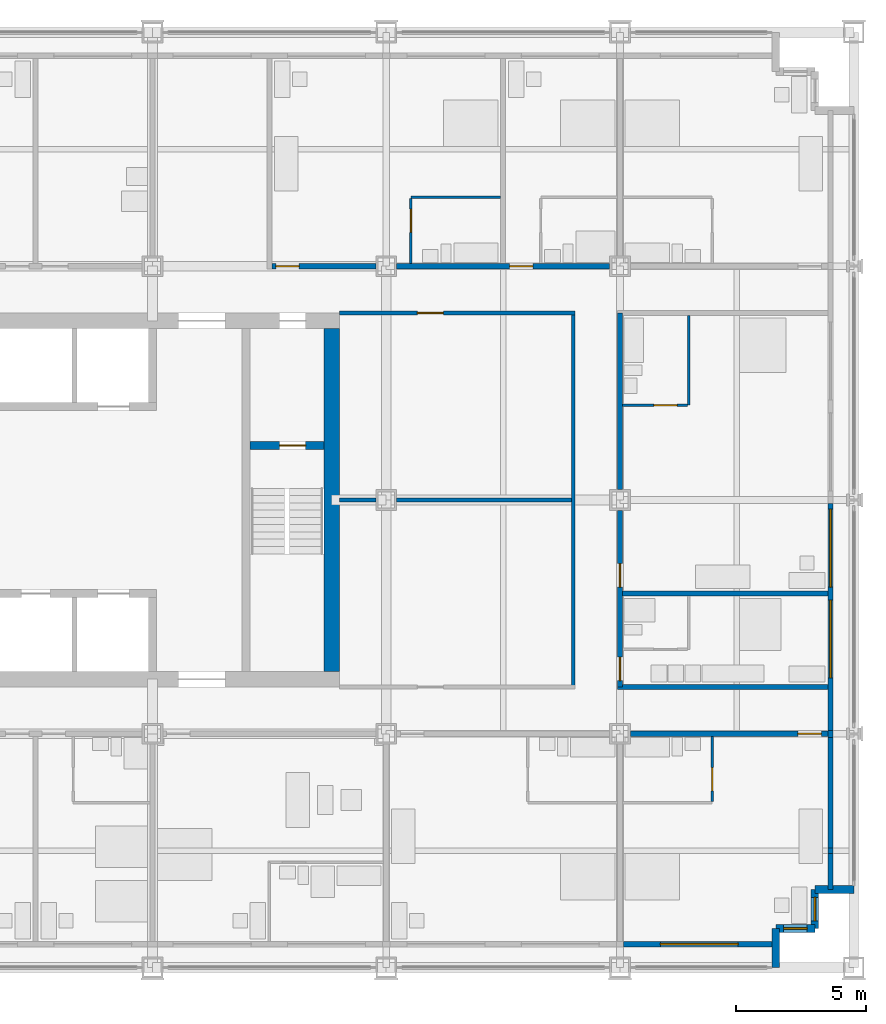
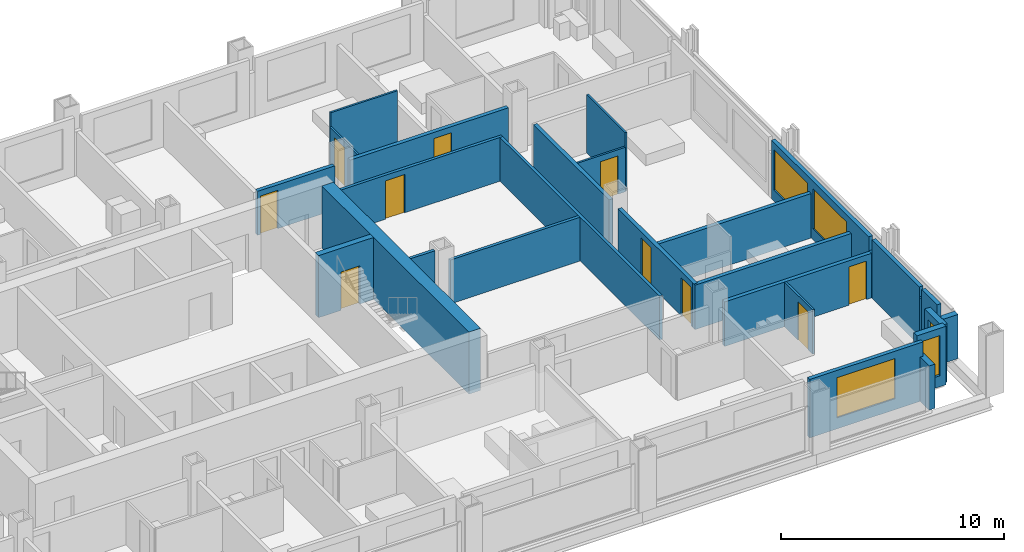
# One storey, part 13 of 18: 28 walls, 10 doors, 5 windows, 15 openings.
"""IFC4 building model written with IfcOpenShell, lengths in metres."""

from ifc_helpers import new_model, si_unit, direction, frame, frame_2d, origin, place, context, subcontext, project, spatial, rectangle, extrude, material, layer, layer_set, type_object, element, fill, save


model = new_model("IFC4")

# Units and contexts
model_context = context("Model", 3, precision=1e-05, world=origin(), true_north=direction((0.0, 1.0)))
body_context = subcontext(model_context, "Body", "Model", "MODEL_VIEW")
ifc_project = project(units=[si_unit("LENGTHUNIT", "METRE"), si_unit("AREAUNIT", "SQUARE_METRE"), si_unit("VOLUMEUNIT", "CUBIC_METRE"), si_unit("PLANEANGLEUNIT", "RADIAN"), si_unit("MASSUNIT", "GRAM", prefix="KILO")], contexts=[model_context])

# Site, building, storey
site_placement = place(None, origin())
site = spatial("IfcSite", under=ifc_project, at=site_placement, CompositionType="ELEMENT")
building_placement = place(site_placement, origin())
building = spatial("IfcBuilding", under=site, at=building_placement, Name="Loomwork Tower", CompositionType="ELEMENT")
storey_placement = place(building_placement, frame((0.0, 0.0, 65.39990234375)))
storey = spatial("IfcBuildingStorey", under=building, at=storey_placement, Name="L16", CompositionType="ELEMENT", Elevation=65.39990234375)

# Wall, opening, door
ifc_material_1 = material(Name="Concrete 14000 psi (97 MPa)", Category="concrete")
ifc_layer_1 = layer(ifc_material_1, 0.300048828125)
ifc_layer_set_1 = layer_set([ifc_layer_1], Name="Core shear wall 300")
wall_type_1 = type_object("IfcWallType", Name="Core shear wall 300", PredefinedType="SHEAR", material=ifc_layer_set_1)
wall_1_placement = place(storey_placement, frame((30.75, 20.10009765625, 0.0), z_axis=(0.0, 0.0, 1.0), x_axis=(1.0, 0.0, 0.0)))
wall_1 = element("IfcWall", 1, at=wall_1_placement, inside=storey, type_object=wall_type_1, Name="Stair B north wall L16", PredefinedType="SHEAR", context=body_context, shape_type="SweptSolid", body=[
    extrude(rectangle(XDim=2.85009765625, YDim=0.300048828125, at=frame_2d((1.425048828125, 0.0))), origin(), (0.0, 0.0, 1.0), 3.400146484375),
])
opening_1_placement = place(wall_1_placement, frame((1.14990234375, 0.0, 0.0)))
opening_1 = element("IfcOpeningElement", 2, at=opening_1_placement, cuts=wall_1, Name="Opening D4", PredefinedType="OPENING", context=body_context, shape_type="SweptSolid", body=[
    extrude(rectangle(XDim=1.0, YDim=2.10009765625, at=frame_2d((0.5, 1.050048828125))), frame((0.0, 0.159912109375, 0.0), z_axis=(0.0, -1.0, 0.0), x_axis=(1.0, 0.0, 0.0)), (0.0, 0.0, 1.0), 0.320068359375),
])
ifc_material_2 = material(Name="Hollow metal door and frame")
door_type_1 = type_object("IfcDoorType", Name="Stair door 1000", OperationType="SINGLE_SWING_RIGHT", PredefinedType="DOOR", material=ifc_material_2)
door_1_placement = place(opening_1_placement, frame((1.0, 0.0, 0.0), z_axis=(0.0, 0.0, 1.0), x_axis=(-1.0, 0.0, 0.0)))
door_1 = element("IfcDoor", 3, at=door_1_placement, inside=storey, type_object=door_type_1, Name="Stair B door", OperationType="SINGLE_SWING_LEFT", OverallHeight=2.10009765625, OverallWidth=1.0, PredefinedType="DOOR", context=body_context, shape_type="SweptSolid", body=[
    extrude(rectangle(XDim=1.0, YDim=2.10009765625, at=frame_2d((0.5, 1.050048828125))), frame((0.0, 0.02490234375, 0.0), z_axis=(0.0, -1.0, 0.0), x_axis=(1.0, 0.0, 0.0)), (0.0, 0.0, 1.0), 0.050048828125),
])
fill(opening_1, door_1)

# Wall
ifc_material_3 = material(Name="Concrete 14000 psi (97 MPa)", Category="concrete")
ifc_layer_2 = layer(ifc_material_3, 0.60009765625)
ifc_layer_set_2 = layer_set([ifc_layer_2], Name="Core shear wall 600")
wall_type_2 = type_object("IfcWallType", Name="Core shear wall 600", PredefinedType="SHEAR", material=ifc_layer_set_2)
wall_2_placement = place(storey_placement, frame((33.89990234375, 11.39990234375, 0.0), z_axis=(0.0, 0.0, 1.0), x_axis=(0.0, 1.0, 0.0)))
element("IfcWall", 4, at=wall_2_placement, inside=storey, type_object=wall_type_2, Name="Core wall east L16", PredefinedType="SHEAR", context=body_context, shape_type="SweptSolid", body=[
    extrude(rectangle(XDim=13.2001953125, YDim=0.60009765625, at=frame_2d((6.60009765625, 0.0))), origin(), (0.0, 0.0, 1.0), 3.400146484375),
])

# Wall, opening, door
ifc_material_4 = material(Name="Gypsum board on steel studs, one-hour", Category="steel")
ifc_layer_3 = layer(ifc_material_4, 0.199951171875)
ifc_layer_set_3 = layer_set([ifc_layer_3], Name="Corridor wall 200")
wall_type_3 = type_object("IfcWallType", Name="Corridor wall 200", PredefinedType="PARTITIONING", material=ifc_layer_set_3)
wall_3_placement = place(storey_placement, frame((45.39990234375, 9.0, 0.0), z_axis=(0.0, 0.0, 1.0), x_axis=(1.0, 0.0, 0.0)))
wall_3 = element("IfcWall", 5, at=wall_3_placement, inside=storey, type_object=wall_type_3, Name="South corridor wall 6", PredefinedType="PARTITIONING", context=body_context, shape_type="SweptSolid", body=[
    extrude(rectangle(XDim=7.60009765625, YDim=0.199951171875, at=frame_2d((3.800048828125, 0.0))), origin(), (0.0, 0.0, 1.0), 2.43798828125),
])
opening_2_placement = place(wall_3_placement, frame((6.449951171875, 0.0, 0.0)))
opening_2 = element("IfcOpeningElement", 6, at=opening_2_placement, cuts=wall_3, Name="Opening D1", PredefinedType="OPENING", context=body_context, shape_type="SweptSolid", body=[
    extrude(rectangle(XDim=0.89990234375, YDim=2.10009765625, at=frame_2d((0.449951171875, 1.050048828125))), frame((0.0, 0.10986328125, 0.0), z_axis=(0.0, -1.0, 0.0), x_axis=(1.0, 0.0, 0.0)), (0.0, 0.0, 1.0), 0.219970703125),
])
ifc_material_5 = material(Name="Hollow metal door and frame")
door_type_2 = type_object("IfcDoorType", Name="Guest room entry door 900", OperationType="SINGLE_SWING_LEFT", PredefinedType="DOOR", material=ifc_material_5)
door_2_placement = place(opening_2_placement, frame((0.89990234375, 0.0, 0.0), z_axis=(0.0, 0.0, 1.0), x_axis=(-1.0, 0.0, 0.0)))
door_2 = element("IfcDoor", 7, at=door_2_placement, inside=storey, type_object=door_type_2, Name="Guest room entry door L16 7", OperationType="SINGLE_SWING_LEFT", OverallHeight=2.10009765625, OverallWidth=0.89990234375, PredefinedType="DOOR", context=body_context, shape_type="SweptSolid", body=[
    extrude(rectangle(XDim=0.89990234375, YDim=2.10009765625, at=frame_2d((0.449951171875, 1.050048828125))), frame((0.0, 0.02490234375, 0.0), z_axis=(0.0, -1.0, 0.0), x_axis=(1.0, 0.0, 0.0)), (0.0, 0.0, 1.0), 0.050048828125),
])
fill(opening_2, door_2)

wall_4_placement = place(storey_placement, frame((31.60009765625, 27.0, 0.0), z_axis=(0.0, 0.0, 1.0), x_axis=(1.0, 0.0, 0.0)))
wall_4 = element("IfcWall", 8, at=wall_4_placement, inside=storey, type_object=wall_type_3, Name="North corridor wall 4", PredefinedType="PARTITIONING", context=body_context, shape_type="SweptSolid", body=[
    extrude(rectangle(XDim=4.0, YDim=0.199951171875, at=frame_2d((2.0, 0.0))), origin(), (0.0, 0.0, 1.0), 2.405029296875),
])
opening_3_placement = place(wall_4_placement, frame((0.14990234375, 0.0, 0.0)))
opening_3 = element("IfcOpeningElement", 9, at=opening_3_placement, cuts=wall_4, Name="Opening D1", PredefinedType="OPENING", context=body_context, shape_type="SweptSolid", body=[
    extrude(rectangle(XDim=0.89990234375, YDim=2.10009765625, at=frame_2d((0.449951171875, 1.050048828125))), frame((0.0, 0.10986328125, 0.0), z_axis=(0.0, -1.0, 0.0), x_axis=(1.0, 0.0, 0.0)), (0.0, 0.0, 1.0), 0.219970703125),
])
door_3_placement = place(opening_3_placement, origin())
door_3 = element("IfcDoor", 10, at=door_3_placement, inside=storey, type_object=door_type_2, Name="Guest room entry door L16 13", OperationType="SINGLE_SWING_LEFT", OverallHeight=2.10009765625, OverallWidth=0.89990234375, PredefinedType="DOOR", context=body_context, shape_type="SweptSolid", body=[
    extrude(rectangle(XDim=0.89990234375, YDim=2.10009765625, at=frame_2d((0.449951171875, 1.050048828125))), frame((0.0, 0.02490234375, 0.0), z_axis=(0.0, -1.0, 0.0), x_axis=(1.0, 0.0, 0.0)), (0.0, 0.0, 1.0), 0.050048828125),
])
fill(opening_3, door_3)

wall_5_placement = place(storey_placement, frame((36.39990234375, 27.0, 0.0), z_axis=(0.0, 0.0, 1.0), x_axis=(1.0, 0.0, 0.0)))
wall_5 = element("IfcWall", 11, at=wall_5_placement, inside=storey, type_object=wall_type_3, Name="North corridor wall 5", PredefinedType="PARTITIONING", context=body_context, shape_type="SweptSolid", body=[
    extrude(rectangle(XDim=8.2001953125, YDim=0.199951171875, at=frame_2d((4.10009765625, 0.0))), origin(), (0.0, 0.0, 1.0), 2.43798828125),
])
opening_4_placement = place(wall_5_placement, frame((4.35009765625, 0.0, 0.0)))
opening_4 = element("IfcOpeningElement", 12, at=opening_4_placement, cuts=wall_5, Name="Opening D1", PredefinedType="OPENING", context=body_context, shape_type="SweptSolid", body=[
    extrude(rectangle(XDim=0.89990234375, YDim=2.10009765625, at=frame_2d((0.449951171875, 1.050048828125))), frame((0.0, 0.10986328125, 0.0), z_axis=(0.0, -1.0, 0.0), x_axis=(1.0, 0.0, 0.0)), (0.0, 0.0, 1.0), 0.219970703125),
])
door_4_placement = place(opening_4_placement, origin())
door_4 = element("IfcDoor", 13, at=door_4_placement, inside=storey, type_object=door_type_2, Name="Guest room entry door L16 14", OperationType="SINGLE_SWING_LEFT", OverallHeight=2.10009765625, OverallWidth=0.89990234375, PredefinedType="DOOR", context=body_context, shape_type="SweptSolid", body=[
    extrude(rectangle(XDim=0.89990234375, YDim=2.10009765625, at=frame_2d((0.449951171875, 1.050048828125))), frame((0.0, 0.02490234375, 0.0), z_axis=(0.0, -1.0, 0.0), x_axis=(1.0, 0.0, 0.0)), (0.0, 0.0, 1.0), 0.050048828125),
])
fill(opening_4, door_4)

# Wall, openings, doors
wall_6_placement = place(storey_placement, frame((45.0, 10.800048828125, 0.0), z_axis=(0.0, 0.0, 1.0), x_axis=(0.0, 1.0, 0.0)))
wall_6 = element("IfcWall", 14, at=wall_6_placement, inside=storey, type_object=wall_type_3, Name="East corridor wall 1", PredefinedType="PARTITIONING", context=body_context, shape_type="SweptSolid", body=[
    extrude(rectangle(XDim=6.800048828125, YDim=0.199951171875, at=frame_2d((3.39990234375, 0.0))), origin(), (0.0, 0.0, 1.0), 2.43798828125),
])
opening_5_placement = place(wall_6_placement, frame((0.25, 0.0, 0.0)))
opening_5 = element("IfcOpeningElement", 15, at=opening_5_placement, cuts=wall_6, Name="Opening D1", PredefinedType="OPENING", context=body_context, shape_type="SweptSolid", body=[
    extrude(rectangle(XDim=0.89990234375, YDim=2.10009765625, at=frame_2d((0.449951171875, 1.050048828125))), frame((0.0, 0.10986328125, 0.0), z_axis=(0.0, -1.0, 0.0), x_axis=(1.0, 0.0, 0.0)), (0.0, 0.0, 1.0), 0.219970703125),
])
opening_6_placement = place(wall_6_placement, frame((3.85009765625, 0.0, 0.0)))
opening_6 = element("IfcOpeningElement", 16, at=opening_6_placement, cuts=wall_6, Name="Opening D1", PredefinedType="OPENING", context=body_context, shape_type="SweptSolid", body=[
    extrude(rectangle(XDim=0.89990234375, YDim=2.10009765625, at=frame_2d((0.449951171875, 1.050048828125))), frame((0.0, 0.10986328125, 0.0), z_axis=(0.0, -1.0, 0.0), x_axis=(1.0, 0.0, 0.0)), (0.0, 0.0, 1.0), 0.219970703125),
])
door_5_placement = place(opening_5_placement, frame((0.89990234375, 0.0, 0.0), z_axis=(0.0, 0.0, 1.0), x_axis=(-1.0, 0.0, 0.0)))
door_5 = element("IfcDoor", 17, at=door_5_placement, inside=storey, type_object=door_type_2, Name="Guest room entry door L16 18", OperationType="SINGLE_SWING_RIGHT", OverallHeight=2.10009765625, OverallWidth=0.89990234375, PredefinedType="DOOR", context=body_context, shape_type="SweptSolid", body=[
    extrude(rectangle(XDim=0.89990234375, YDim=2.10009765625, at=frame_2d((0.449951171875, 1.050048828125))), frame((0.0, 0.02490234375, 0.0), z_axis=(0.0, -1.0, 0.0), x_axis=(1.0, 0.0, 0.0)), (0.0, 0.0, 1.0), 0.050048828125),
])
fill(opening_5, door_5)
door_6_placement = place(opening_6_placement, frame((0.89990234375, 0.0, 0.0), z_axis=(0.0, 0.0, 1.0), x_axis=(-1.0, 0.0, 0.0)))
door_6 = element("IfcDoor", 18, at=door_6_placement, inside=storey, type_object=door_type_2, Name="Guest room entry door L16 19", OperationType="SINGLE_SWING_RIGHT", OverallHeight=2.10009765625, OverallWidth=0.89990234375, PredefinedType="DOOR", context=body_context, shape_type="SweptSolid", body=[
    extrude(rectangle(XDim=0.89990234375, YDim=2.10009765625, at=frame_2d((0.449951171875, 1.050048828125))), frame((0.0, 0.02490234375, 0.0), z_axis=(0.0, -1.0, 0.0), x_axis=(1.0, 0.0, 0.0)), (0.0, 0.0, 1.0), 0.050048828125),
])
fill(opening_6, door_6)

# Walls
wall_7_placement = place(storey_placement, frame((45.0, 18.39990234375, 0.0), z_axis=(0.0, 0.0, 1.0), x_axis=(0.0, 1.0, 0.0)))
element("IfcWall", 19, at=wall_7_placement, inside=storey, type_object=wall_type_3, Name="East corridor wall 2", PredefinedType="PARTITIONING", context=body_context, shape_type="SweptSolid", body=[
    extrude(rectangle(XDim=6.800048828125, YDim=0.199951171875, at=frame_2d((3.39990234375, 0.0))), origin(), (0.0, 0.0, 1.0), 2.43798828125),
])
wall_8_placement = place(storey_placement, frame((44.89990234375, 10.800048828125, 0.0), z_axis=(0.0, 0.0, 1.0), x_axis=(1.0, 0.0, 0.0)))
element("IfcWall", 20, at=wall_8_placement, inside=storey, type_object=wall_type_3, Name="East band end wall S", PredefinedType="PARTITIONING", context=body_context, shape_type="SweptSolid", body=[
    extrude(rectangle(XDim=8.10009765625, YDim=0.199951171875, at=frame_2d((4.050048828125, 0.0))), origin(), (0.0, 0.0, 1.0), 2.43798828125),
])

# Wall, opening, door
ifc_material_6 = material(Name="Cement board on steel studs", Category="steel")
ifc_layer_4 = layer(ifc_material_6, 0.10009765625)
ifc_layer_set_4 = layer_set([ifc_layer_4], Name="En-suite partition 100")
wall_type_4 = type_object("IfcWallType", Name="En-suite partition 100", PredefinedType="PARTITIONING", material=ifc_layer_set_4)
wall_9_placement = place(storey_placement, frame((48.550048828125, 8.89990234375, 0.0), z_axis=(0.0, 0.0, 1.0), x_axis=(0.0, -1.0, 0.0)))
wall_9 = element("IfcWall", 21, at=wall_9_placement, inside=storey, type_object=wall_type_4, Name="En-suite side wall L16 room 7", PredefinedType="PARTITIONING", context=body_context, shape_type="SweptSolid", body=[
    extrude(rectangle(XDim=2.5, YDim=0.10009765625, at=frame_2d((1.25, 0.0))), origin(), (0.0, 0.0, 1.0), 2.43798828125),
])
opening_7_placement = place(wall_9_placement, frame((1.199951171875, 0.0, 0.0)))
opening_7 = element("IfcOpeningElement", 22, at=opening_7_placement, cuts=wall_9, Name="Opening D2", PredefinedType="OPENING", context=body_context, shape_type="SweptSolid", body=[
    extrude(rectangle(XDim=0.89990234375, YDim=2.10009765625, at=frame_2d((0.449951171875, 1.050048828125))), frame((0.0, 0.06005859375, 0.0), z_axis=(0.0, -1.0, 0.0), x_axis=(1.0, 0.0, 0.0)), (0.0, 0.0, 1.0), 0.1201171875),
])
ifc_material_7 = material(Name="Hollow metal door and frame")
door_type_3 = type_object("IfcDoorType", Name="En-suite door 900", OperationType="SINGLE_SWING_LEFT", PredefinedType="DOOR", material=ifc_material_7)
door_7_placement = place(opening_7_placement, frame((0.89990234375, 0.0, 0.0), z_axis=(0.0, 0.0, 1.0), x_axis=(-1.0, 0.0, 0.0)))
door_7 = element("IfcDoor", 23, at=door_7_placement, inside=storey, type_object=door_type_3, Name="En-suite door room 7", OperationType="SINGLE_SWING_LEFT", OverallHeight=2.10009765625, OverallWidth=0.89990234375, PredefinedType="DOOR", context=body_context, shape_type="SweptSolid", body=[
    extrude(rectangle(XDim=0.89990234375, YDim=2.10009765625, at=frame_2d((0.449951171875, 1.050048828125))), frame((0.0, 0.02490234375, 0.0), z_axis=(0.0, -1.0, 0.0), x_axis=(1.0, 0.0, 0.0)), (0.0, 0.0, 1.0), 0.050048828125),
])
fill(opening_7, door_7)

# Wall
wall_10_placement = place(storey_placement, frame((36.949951171875, 29.64990234375, 0.0), z_axis=(0.0, 0.0, 1.0), x_axis=(1.0, 0.0, 0.0)))
element("IfcWall", 24, at=wall_10_placement, inside=storey, type_object=wall_type_4, Name="En-suite wall L16 room 13", PredefinedType="PARTITIONING", context=body_context, shape_type="SweptSolid", body=[
    extrude(rectangle(XDim=3.449951171875, YDim=0.10009765625, at=frame_2d((1.72509765625, 0.0))), origin(), (0.0, 0.0, 1.0), 3.2001953125),
])

# Wall, opening, door
wall_11_placement = place(storey_placement, frame((36.949951171875, 27.10009765625, 0.0), z_axis=(0.0, 0.0, 1.0), x_axis=(0.0, 1.0, 0.0)))
wall_11 = element("IfcWall", 25, at=wall_11_placement, inside=storey, type_object=wall_type_4, Name="En-suite side wall L16 room 13", PredefinedType="PARTITIONING", context=body_context, shape_type="SweptSolid", body=[
    extrude(rectangle(XDim=2.5, YDim=0.10009765625, at=frame_2d((1.25, 0.0))), origin(), (0.0, 0.0, 1.0), 2.43798828125),
])
opening_8_placement = place(wall_11_placement, frame((1.199951171875, 0.0, 0.0)))
opening_8 = element("IfcOpeningElement", 26, at=opening_8_placement, cuts=wall_11, Name="Opening D2", PredefinedType="OPENING", context=body_context, shape_type="SweptSolid", body=[
    extrude(rectangle(XDim=0.89990234375, YDim=2.10009765625, at=frame_2d((0.449951171875, 1.050048828125))), frame((0.0, 0.06005859375, 0.0), z_axis=(0.0, -1.0, 0.0), x_axis=(1.0, 0.0, 0.0)), (0.0, 0.0, 1.0), 0.1201171875),
])
door_8_placement = place(opening_8_placement, frame((0.89990234375, 0.0, 0.0), z_axis=(0.0, 0.0, 1.0), x_axis=(-1.0, 0.0, 0.0)))
door_8 = element("IfcDoor", 27, at=door_8_placement, inside=storey, type_object=door_type_3, Name="En-suite door room 13", OperationType="SINGLE_SWING_LEFT", OverallHeight=2.10009765625, OverallWidth=0.89990234375, PredefinedType="DOOR", context=body_context, shape_type="SweptSolid", body=[
    extrude(rectangle(XDim=0.89990234375, YDim=2.10009765625, at=frame_2d((0.449951171875, 1.050048828125))), frame((0.0, 0.02490234375, 0.0), z_axis=(0.0, -1.0, 0.0), x_axis=(1.0, 0.0, 0.0)), (0.0, 0.0, 1.0), 0.050048828125),
])
fill(opening_8, door_8)

# Wall
wall_12_placement = place(storey_placement, frame((47.64990234375, 21.64990234375, 0.0), z_axis=(0.0, 0.0, 1.0), x_axis=(0.0, 1.0, 0.0)))
element("IfcWall", 28, at=wall_12_placement, inside=storey, type_object=wall_type_4, Name="En-suite wall L16 room 19", PredefinedType="PARTITIONING", context=body_context, shape_type="SweptSolid", body=[
    extrude(rectangle(XDim=3.4501953125, YDim=0.10009765625, at=frame_2d((1.72509765625, 0.0))), origin(), (0.0, 0.0, 1.0), 3.2001953125),
])

# Wall, opening, door
wall_13_placement = place(storey_placement, frame((45.10009765625, 21.64990234375, 0.0), z_axis=(0.0, 0.0, 1.0), x_axis=(1.0, 0.0, 0.0)))
wall_13 = element("IfcWall", 29, at=wall_13_placement, inside=storey, type_object=wall_type_4, Name="En-suite side wall L16 room 19", PredefinedType="PARTITIONING", context=body_context, shape_type="SweptSolid", body=[
    extrude(rectangle(XDim=2.5, YDim=0.10009765625, at=frame_2d((1.25, 0.0))), origin(), (0.0, 0.0, 1.0), 2.43798828125),
])
opening_9_placement = place(wall_13_placement, frame((1.199951171875, 0.0, 0.0)))
opening_9 = element("IfcOpeningElement", 30, at=opening_9_placement, cuts=wall_13, Name="Opening D2", PredefinedType="OPENING", context=body_context, shape_type="SweptSolid", body=[
    extrude(rectangle(XDim=0.89990234375, YDim=2.10009765625, at=frame_2d((0.449951171875, 1.050048828125))), frame((0.0, 0.06005859375, 0.0), z_axis=(0.0, -1.0, 0.0), x_axis=(1.0, 0.0, 0.0)), (0.0, 0.0, 1.0), 0.1201171875),
])
door_9_placement = place(opening_9_placement, origin())
door_9 = element("IfcDoor", 31, at=door_9_placement, inside=storey, type_object=door_type_3, Name="En-suite door room 19", OperationType="SINGLE_SWING_RIGHT", OverallHeight=2.10009765625, OverallWidth=0.89990234375, PredefinedType="DOOR", context=body_context, shape_type="SweptSolid", body=[
    extrude(rectangle(XDim=0.89990234375, YDim=2.10009765625, at=frame_2d((0.449951171875, 1.050048828125))), frame((0.0, 0.02490234375, 0.0), z_axis=(0.0, -1.0, 0.0), x_axis=(1.0, 0.0, 0.0)), (0.0, 0.0, 1.0), 0.050048828125),
])
fill(opening_9, door_9)

# Walls
ifc_material_8 = material(Name="Gypsum board on steel studs, acoustic", Category="steel")
ifc_layer_5 = layer(ifc_material_8, 0.199951171875)
ifc_layer_set_5 = layer_set([ifc_layer_5], Name="Guest room party wall 200")
wall_type_5 = type_object("IfcWallType", Name="Guest room party wall 200", PredefinedType="PARTITIONING", material=ifc_layer_set_5)
wall_14_placement = place(storey_placement, frame((45.10009765625, 14.39990234375, 0.0), z_axis=(0.0, 0.0, 1.0), x_axis=(1.0, 0.0, 0.0)))
element("IfcWall", 32, at=wall_14_placement, inside=storey, type_object=wall_type_5, Name="Guest room party wall E 14.4", PredefinedType="PARTITIONING", context=body_context, shape_type="SweptSolid", body=[
    extrude(rectangle(XDim=7.89990234375, YDim=0.199951171875, at=frame_2d((3.949951171875, 0.0))), origin(), (0.0, 0.0, 1.0), 2.43798828125),
])
ifc_material_9 = material(Name="Insulated steel stud wall with gypsum lining", Category="steel")
ifc_layer_6 = layer(ifc_material_9, 0.199951171875)
ifc_layer_set_6 = layer_set([ifc_layer_6], Name="Inner skin wall 200")
wall_type_6 = type_object("IfcWallType", Name="Inner skin wall 200", PredefinedType="SOLIDWALL", material=ifc_layer_set_6)
wall_15_placement = place(storey_placement, frame((53.10009765625, 3.0, 0.0), z_axis=(0.0, 0.0, 1.0), x_axis=(0.0, 1.0, 0.0)))
element("IfcWall", 33, at=wall_15_placement, inside=storey, type_object=wall_type_6, Name="Inner skin wall E", PredefinedType="SOLIDWALL", context=body_context, shape_type="SweptSolid", body=[
    extrude(rectangle(XDim=1.392578125, YDim=0.199951171875, at=frame_2d((0.6962890625, 0.0))), origin(), (0.0, 0.0, 1.0), 3.2001953125),
])

# Wall, opening, window
wall_16_placement = place(storey_placement, frame((45.135498046875, 0.89990234375, 0.0), z_axis=(0.0, 0.0, 1.0), x_axis=(1.0, 0.0, 0.0)))
wall_16 = element("IfcWall", 34, at=wall_16_placement, inside=storey, type_object=wall_type_6, Name="Inner skin wall S bay 11", PredefinedType="SOLIDWALL", context=body_context, shape_type="SweptSolid", body=[
    extrude(rectangle(XDim=5.864501953125, YDim=0.199951171875, at=frame_2d((2.93212890625, 0.0))), origin(), (0.0, 0.0, 1.0), 3.2001953125),
])
opening_10_placement = place(wall_16_placement, frame((1.41455078125, 0.0, 0.60009765625)))
opening_10 = element("IfcOpeningElement", 35, at=opening_10_placement, cuts=wall_16, Name="Opening CH1", PredefinedType="OPENING", context=body_context, shape_type="SweptSolid", body=[
    extrude(rectangle(XDim=3.0, YDim=2.199951171875, at=frame_2d((1.5, 1.10009765625))), frame((0.0, 0.10986328125, 0.0), z_axis=(0.0, -1.0, 0.0), x_axis=(1.0, 0.0, 0.0)), (0.0, 0.0, 1.0), 0.219970703125),
])
ifc_material_10 = material(Name="Aluminium frame with clear insulated glass", Category="aluminium")
window_type_1 = type_object("IfcWindowType", Name="Chicago window 3000", PartitioningType="TRIPLE_PANEL_VERTICAL", PredefinedType="WINDOW", material=ifc_material_10)
window_1_placement = place(opening_10_placement, origin())
window_1 = element("IfcWindow", 36, at=window_1_placement, inside=storey, type_object=window_type_1, Name="Chicago window L16 bay 6", OverallHeight=2.199951171875, OverallWidth=3.0, PartitioningType="TRIPLE_PANEL_VERTICAL", PredefinedType="WINDOW", context=body_context, shape_type="SweptSolid", body=[
    extrude(rectangle(XDim=3.0, YDim=2.199951171875, at=frame_2d((1.5, 1.10009765625))), frame((0.0, 0.030029296875, 0.0), z_axis=(0.0, -1.0, 0.0), x_axis=(1.0, 0.0, 0.0)), (0.0, 0.0, 1.0), 0.06005859375),
])
fill(opening_10, window_1)

# Walls
wall_17_placement = place(storey_placement, frame((53.10009765625, 4.392578125, 0.0), z_axis=(0.0, 0.0, 1.0), x_axis=(0.0, 1.0, 0.0)))
element("IfcWall", 37, at=wall_17_placement, inside=storey, type_object=wall_type_6, Name="Inner skin wall E bay 2", PredefinedType="SOLIDWALL", context=body_context, shape_type="SweptSolid", body=[
    extrude(rectangle(XDim=0.21484375, YDim=0.199951171875, at=frame_2d((0.107421875, 0.0))), origin(), (0.0, 0.0, 1.0), 2.6611328125),
])
wall_18_placement = place(storey_placement, frame((53.10009765625, 4.607421875, 0.0), z_axis=(0.0, 0.0, 1.0), x_axis=(0.0, 1.0, 0.0)))
element("IfcWall", 38, at=wall_18_placement, inside=storey, type_object=wall_type_6, Name="Inner skin wall E bay 3", PredefinedType="SOLIDWALL", context=body_context, shape_type="SweptSolid", body=[
    extrude(rectangle(XDim=4.25732421875, YDim=0.199951171875, at=frame_2d((2.128662109375, 0.0))), origin(), (0.0, 0.0, 1.0), 3.2001953125),
])
wall_19_placement = place(storey_placement, frame((53.10009765625, 8.86474609375, 0.0), z_axis=(0.0, 0.0, 1.0), x_axis=(0.0, 1.0, 0.0)))
element("IfcWall", 39, at=wall_19_placement, inside=storey, type_object=wall_type_6, Name="Inner skin wall E bay 4", PredefinedType="SOLIDWALL", context=body_context, shape_type="SweptSolid", body=[
    extrude(rectangle(XDim=0.2705078125, YDim=0.199951171875, at=frame_2d((0.13525390625, 0.0))), origin(), (0.0, 0.0, 1.0), 2.43798828125),
])

# Wall, openings, windows
wall_20_placement = place(storey_placement, frame((53.10009765625, 9.13525390625, 0.0), z_axis=(0.0, 0.0, 1.0), x_axis=(0.0, 1.0, 0.0)))
wall_20 = element("IfcWall", 40, at=wall_20_placement, inside=storey, type_object=wall_type_6, Name="Inner skin wall E bay 5", PredefinedType="SOLIDWALL", context=body_context, shape_type="SweptSolid", body=[
    extrude(rectangle(XDim=8.729248046875, YDim=0.199951171875, at=frame_2d((4.36474609375, 0.0))), origin(), (0.0, 0.0, 1.0), 3.2001953125),
])
opening_11_placement = place(wall_20_placement, frame((2.0146484375, 0.0, 0.60009765625)))
opening_11 = element("IfcOpeningElement", 41, at=opening_11_placement, cuts=wall_20, Name="Opening CH1", PredefinedType="OPENING", context=body_context, shape_type="SweptSolid", body=[
    extrude(rectangle(XDim=3.0, YDim=2.199951171875, at=frame_2d((1.5, 1.10009765625))), frame((0.0, 0.10986328125, 0.0), z_axis=(0.0, -1.0, 0.0), x_axis=(1.0, 0.0, 0.0)), (0.0, 0.0, 1.0), 0.219970703125),
])
opening_12_placement = place(wall_20_placement, frame((5.5146484375, 0.0, 0.60009765625)))
opening_12 = element("IfcOpeningElement", 42, at=opening_12_placement, cuts=wall_20, Name="Opening CH1", PredefinedType="OPENING", context=body_context, shape_type="SweptSolid", body=[
    extrude(rectangle(XDim=3.0, YDim=2.199951171875, at=frame_2d((1.5, 1.10009765625))), frame((0.0, 0.10986328125, 0.0), z_axis=(0.0, -1.0, 0.0), x_axis=(1.0, 0.0, 0.0)), (0.0, 0.0, 1.0), 0.219970703125),
])
window_2_placement = place(opening_11_placement, origin())
window_2 = element("IfcWindow", 43, at=window_2_placement, inside=storey, type_object=window_type_1, Name="Chicago window L16 bay 15", OverallHeight=2.199951171875, OverallWidth=3.0, PartitioningType="TRIPLE_PANEL_VERTICAL", PredefinedType="WINDOW", context=body_context, shape_type="SweptSolid", body=[
    extrude(rectangle(XDim=3.0, YDim=2.199951171875, at=frame_2d((1.5, 1.10009765625))), frame((0.0, 0.030029296875, 0.0), z_axis=(0.0, -1.0, 0.0), x_axis=(1.0, 0.0, 0.0)), (0.0, 0.0, 1.0), 0.06005859375),
])
fill(opening_11, window_2)
window_3_placement = place(opening_12_placement, origin())
window_3 = element("IfcWindow", 44, at=window_3_placement, inside=storey, type_object=window_type_1, Name="Chicago window L16 bay 15", OverallHeight=2.199951171875, OverallWidth=3.0, PartitioningType="TRIPLE_PANEL_VERTICAL", PredefinedType="WINDOW", context=body_context, shape_type="SweptSolid", body=[
    extrude(rectangle(XDim=3.0, YDim=2.199951171875, at=frame_2d((1.5, 1.10009765625))), frame((0.0, 0.030029296875, 0.0), z_axis=(0.0, -1.0, 0.0), x_axis=(1.0, 0.0, 0.0)), (0.0, 0.0, 1.0), 0.06005859375),
])
fill(opening_12, window_3)

# Wall
ifc_material_11 = material(Name="Limestone on concrete masonry", Category="masonry")
ifc_layer_7 = layer(ifc_material_11, 0.300048828125)
ifc_layer_set_7 = layer_set([ifc_layer_7], Name="Limestone corner wall 300")
wall_type_7 = type_object("IfcWallType", Name="Limestone corner wall 300", PredefinedType="SOLIDWALL", material=ifc_layer_set_7)
wall_21_placement = place(storey_placement, frame((51.0, 0.0, 0.0), z_axis=(0.0, 0.0, 1.0), x_axis=(0.0, 1.0, 0.0)))
element("IfcWall", 45, at=wall_21_placement, inside=storey, type_object=wall_type_7, Name="Stone corner wall SE 1", PredefinedType="SOLIDWALL", context=body_context, shape_type="SweptSolid", body=[
    extrude(rectangle(XDim=1.5, YDim=0.300048828125, at=frame_2d((0.75, 0.0))), origin(), (0.0, 0.0, 1.0), 2.420166015625),
])

# Wall, opening, window
wall_22_placement = place(storey_placement, frame((51.0, 1.5, 0.0), z_axis=(0.0, 0.0, 1.0), x_axis=(1.0, 0.0, 0.0)))
wall_22 = element("IfcWall", 46, at=wall_22_placement, inside=storey, type_object=wall_type_7, Name="Stone corner wall SE 2", PredefinedType="SOLIDWALL", context=body_context, shape_type="SweptSolid", body=[
    extrude(rectangle(XDim=1.5, YDim=0.300048828125, at=frame_2d((0.75, 0.0))), origin(), (0.0, 0.0, 1.0), 3.2001953125),
])
opening_13_placement = place(wall_22_placement, frame((0.300048828125, 0.0, 0.60009765625)))
opening_13 = element("IfcOpeningElement", 47, at=opening_13_placement, cuts=wall_22, Name="Opening CH2", PredefinedType="OPENING", context=body_context, shape_type="SweptSolid", body=[
    extrude(rectangle(XDim=0.89990234375, YDim=2.199951171875, at=frame_2d((0.449951171875, 1.10009765625))), frame((0.0, 0.159912109375, 0.0), z_axis=(0.0, -1.0, 0.0), x_axis=(1.0, 0.0, 0.0)), (0.0, 0.0, 1.0), 0.320068359375),
])
ifc_material_12 = material(Name="Aluminium frame with clear insulated glass", Category="aluminium")
window_type_2 = type_object("IfcWindowType", Name="Corner window 900", PartitioningType="SINGLE_PANEL", PredefinedType="WINDOW", material=ifc_material_12)
window_4_placement = place(opening_13_placement, origin())
window_4 = element("IfcWindow", 48, at=window_4_placement, inside=storey, type_object=window_type_2, Name="Corner window SE", OverallHeight=2.199951171875, OverallWidth=0.89990234375, PartitioningType="SINGLE_PANEL", PredefinedType="WINDOW", context=body_context, shape_type="SweptSolid", body=[
    extrude(rectangle(XDim=0.89990234375, YDim=2.199951171875, at=frame_2d((0.449951171875, 1.10009765625))), frame((0.0, 0.030029296875, 0.0), z_axis=(0.0, -1.0, 0.0), x_axis=(1.0, 0.0, 0.0)), (0.0, 0.0, 1.0), 0.06005859375),
])
fill(opening_13, window_4)

wall_23_placement = place(storey_placement, frame((52.5, 1.5, 0.0), z_axis=(0.0, 0.0, 1.0), x_axis=(0.0, 1.0, 0.0)))
wall_23 = element("IfcWall", 49, at=wall_23_placement, inside=storey, type_object=wall_type_7, Name="Stone corner wall SE 3", PredefinedType="SOLIDWALL", context=body_context, shape_type="SweptSolid", body=[
    extrude(rectangle(XDim=1.5, YDim=0.300048828125, at=frame_2d((0.75, 0.0))), origin(), (0.0, 0.0, 1.0), 3.2001953125),
])
opening_14_placement = place(wall_23_placement, frame((0.300048828125, 0.0, 0.60009765625)))
opening_14 = element("IfcOpeningElement", 50, at=opening_14_placement, cuts=wall_23, Name="Opening CH2", PredefinedType="OPENING", context=body_context, shape_type="SweptSolid", body=[
    extrude(rectangle(XDim=0.89990234375, YDim=2.199951171875, at=frame_2d((0.449951171875, 1.10009765625))), frame((0.0, 0.159912109375, 0.0), z_axis=(0.0, -1.0, 0.0), x_axis=(1.0, 0.0, 0.0)), (0.0, 0.0, 1.0), 0.320068359375),
])
window_5_placement = place(opening_14_placement, origin())
window_5 = element("IfcWindow", 51, at=window_5_placement, inside=storey, type_object=window_type_2, Name="Corner window SE", OverallHeight=2.199951171875, OverallWidth=0.89990234375, PartitioningType="SINGLE_PANEL", PredefinedType="WINDOW", context=body_context, shape_type="SweptSolid", body=[
    extrude(rectangle(XDim=0.89990234375, YDim=2.199951171875, at=frame_2d((0.449951171875, 1.10009765625))), frame((0.0, 0.030029296875, 0.0), z_axis=(0.0, -1.0, 0.0), x_axis=(1.0, 0.0, 0.0)), (0.0, 0.0, 1.0), 0.06005859375),
])
fill(opening_14, window_5)

# Wall
wall_24_placement = place(storey_placement, frame((52.5, 3.0, 0.0), z_axis=(0.0, 0.0, 1.0), x_axis=(1.0, 0.0, 0.0)))
element("IfcWall", 52, at=wall_24_placement, inside=storey, type_object=wall_type_7, Name="Stone corner wall SE 4", PredefinedType="SOLIDWALL", context=body_context, shape_type="SweptSolid", body=[
    extrude(rectangle(XDim=1.5, YDim=0.300048828125, at=frame_2d((0.75, 0.0))), origin(), (0.0, 0.0, 1.0), 2.420166015625),
])

# Wall, opening, door
ifc_material_13 = material(Name="Gypsum board on steel studs, one-hour", Category="steel")
ifc_layer_8 = layer(ifc_material_13, 0.14990234375)
ifc_layer_set_8 = layer_set([ifc_layer_8], Name="Service partition 150")
wall_type_8 = type_object("IfcWallType", Name="Service partition 150", PredefinedType="PARTITIONING", material=ifc_layer_set_8)
wall_25_placement = place(storey_placement, frame((34.199951171875, 25.199951171875, 0.0), z_axis=(0.0, 0.0, 1.0), x_axis=(1.0, 0.0, 0.0)))
wall_25 = element("IfcWall", 53, at=wall_25_placement, inside=storey, type_object=wall_type_8, Name="Service block wall N", PredefinedType="PARTITIONING", context=body_context, shape_type="SweptSolid", body=[
    extrude(rectangle(XDim=9.074951171875, YDim=0.14990234375, at=frame_2d((4.53759765625, 0.0))), origin(), (0.0, 0.0, 1.0), 2.404052734375),
])
opening_15_placement = place(wall_25_placement, frame((3.0, 0.0, 0.0)))
opening_15 = element("IfcOpeningElement", 54, at=opening_15_placement, cuts=wall_25, Name="Opening D5", PredefinedType="OPENING", context=body_context, shape_type="SweptSolid", body=[
    extrude(rectangle(XDim=1.0, YDim=2.10009765625, at=frame_2d((0.5, 1.050048828125))), frame((0.0, 0.0849609375, 0.0), z_axis=(0.0, -1.0, 0.0), x_axis=(1.0, 0.0, 0.0)), (0.0, 0.0, 1.0), 0.169921875),
])
ifc_material_14 = material(Name="Hollow metal door and frame")
door_type_4 = type_object("IfcDoorType", Name="Service door 1000", OperationType="SINGLE_SWING_LEFT", PredefinedType="DOOR", material=ifc_material_14)
door_10_placement = place(opening_15_placement, frame((1.0, 0.0, 0.0), z_axis=(0.0, 0.0, 1.0), x_axis=(-1.0, 0.0, 0.0)))
door_10 = element("IfcDoor", 55, at=door_10_placement, inside=storey, type_object=door_type_4, Name="Riser room door", OperationType="SINGLE_SWING_RIGHT", OverallHeight=2.10009765625, OverallWidth=1.0, PredefinedType="DOOR", context=body_context, shape_type="SweptSolid", body=[
    extrude(rectangle(XDim=1.0, YDim=2.10009765625, at=frame_2d((0.5, 1.050048828125))), frame((0.0, 0.02490234375, 0.0), z_axis=(0.0, -1.0, 0.0), x_axis=(1.0, 0.0, 0.0)), (0.0, 0.0, 1.0), 0.050048828125),
])
fill(opening_15, door_10)

# Walls
wall_26_placement = place(storey_placement, frame((43.199951171875, 10.800048828125, 0.0), z_axis=(0.0, 0.0, 1.0), x_axis=(0.0, 1.0, 0.0)))
element("IfcWall", 56, at=wall_26_placement, inside=storey, type_object=wall_type_8, Name="Service block east wall", PredefinedType="PARTITIONING", context=body_context, shape_type="SweptSolid", body=[
    extrude(rectangle(XDim=14.39990234375, YDim=0.14990234375, at=frame_2d((7.199951171875, 0.0))), origin(), (0.0, 0.0, 1.0), 2.404052734375),
])
wall_27_placement = place(storey_placement, frame((34.199951171875, 18.0, 0.0), z_axis=(0.0, 0.0, 1.0), x_axis=(1.0, 0.0, 0.0)))
element("IfcWall", 57, at=wall_27_placement, inside=storey, type_object=wall_type_8, Name="Service block divider", PredefinedType="PARTITIONING", context=body_context, shape_type="SweptSolid", body=[
    extrude(rectangle(XDim=1.400146484375, YDim=0.14990234375, at=frame_2d((0.7001953125, 0.0))), origin(), (0.0, 0.0, 1.0), 3.2001953125),
])
wall_28_placement = place(storey_placement, frame((36.39990234375, 18.0, 0.0), z_axis=(0.0, 0.0, 1.0), x_axis=(1.0, 0.0, 0.0)))
element("IfcWall", 58, at=wall_28_placement, inside=storey, type_object=wall_type_8, Name="Service block divider", PredefinedType="PARTITIONING", context=body_context, shape_type="SweptSolid", body=[
    extrude(rectangle(XDim=6.72509765625, YDim=0.14990234375, at=frame_2d((3.362548828125, 0.0))), origin(), (0.0, 0.0, 1.0), 2.405029296875),
])

save(model, "model.ifc")
